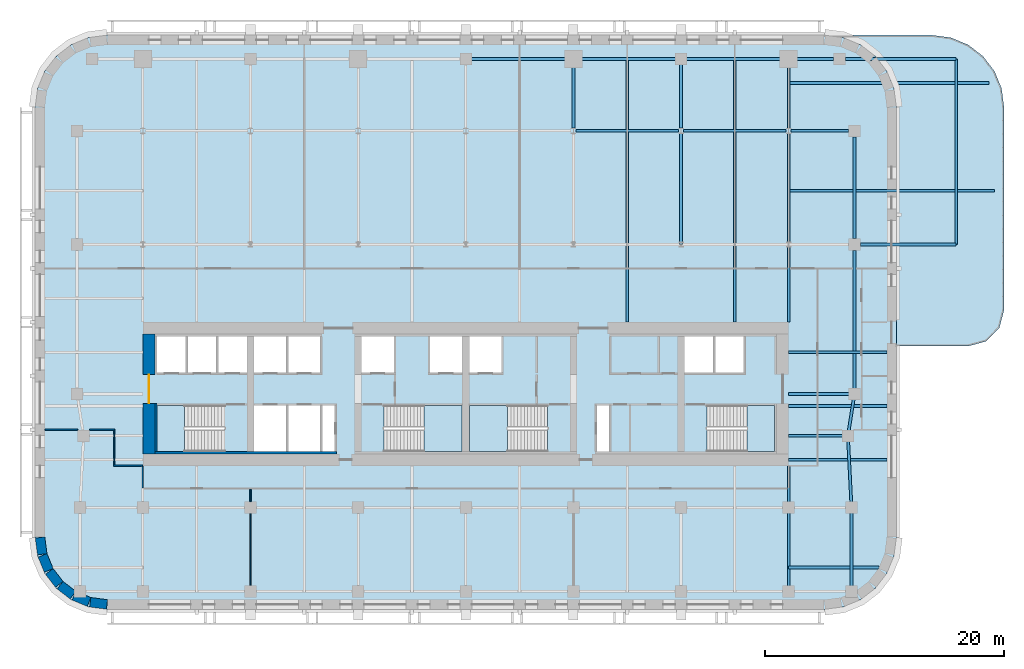
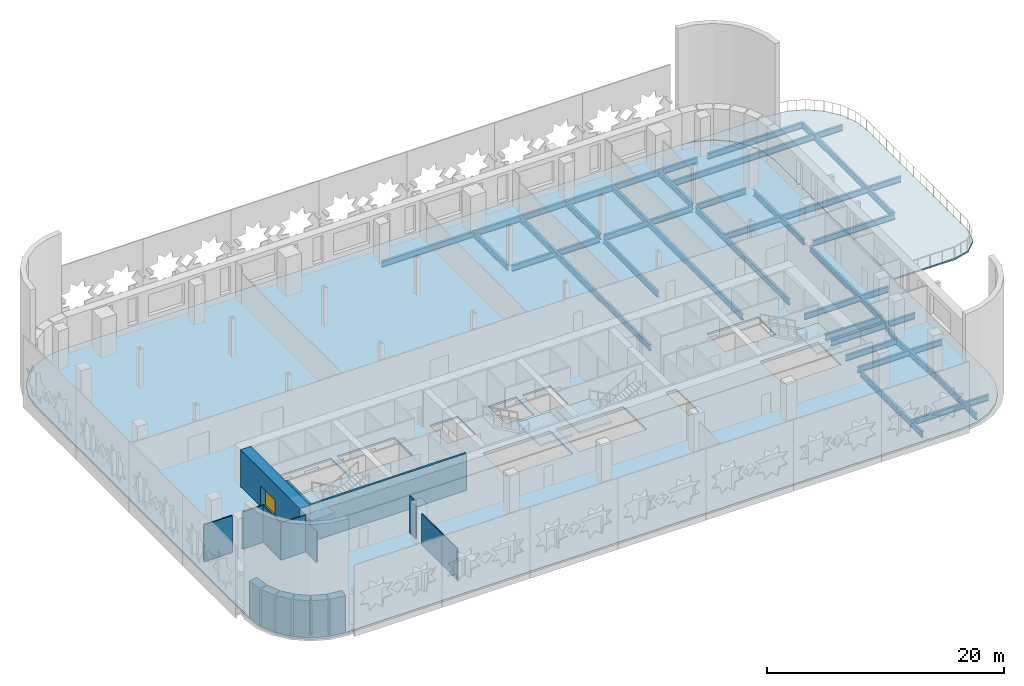
# One storey, part 2 of 11: 29 beams, 16 walls, 6 slabs, 1 door, 1 opening, 4 elements without a shape of their own.
"""IFC4 building model written with IfcOpenShell, lengths in metres."""

from ifc_helpers import new_model, si_unit, direction, frame, frame_2d, origin, origin_2d, place, context, subcontext, project, spatial, polyline, rectangle, i_section, outline, extrude, material, layer, layer_set, material_profile, profile_set, type_object, element, fill, aggregate, save


model = new_model("IFC4")

# Units and contexts
model_context = context("Model", 3, precision=1e-05, world=origin(), true_north=direction((0.0, 1.0)))
body_context = subcontext(model_context, "Body", "Model", "MODEL_VIEW")
ifc_project = project(units=[si_unit("LENGTHUNIT", "METRE"), si_unit("AREAUNIT", "SQUARE_METRE"), si_unit("VOLUMEUNIT", "CUBIC_METRE"), si_unit("PLANEANGLEUNIT", "RADIAN"), si_unit("MASSUNIT", "GRAM", prefix="KILO")], contexts=[model_context])

# Site, building, storey
site_placement = place(None, origin())
site = spatial("IfcSite", under=ifc_project, at=site_placement, CompositionType="ELEMENT")
building_placement = place(site_placement, origin())
building = spatial("IfcBuilding", under=site, at=building_placement, Name="Zellij Exchange Tower", CompositionType="ELEMENT")
storey_placement = place(building_placement, frame((0.0, 0.0, 144.5)))
storey = spatial("IfcBuildingStorey", under=building, at=storey_placement, Name="L32", CompositionType="ELEMENT", Elevation=144.5)

# Beams
ifc_material_1 = material(Name="Structural steel ASTM A992 Gr 50", Category="steel")
ifc_material_profile_1 = material_profile(ifc_material_1, i_section(OverallWidth=0.227783203125, OverallDepth=0.60205078125, WebThickness=0.010498046875, FlangeThickness=0.014892578125, at=origin_2d()), Name="W24x68")
ifc_profile_set_1 = profile_set([ifc_material_profile_1], Name="Structural steel ASTM A992 Gr 50")
beam_type_1 = type_object("IfcBeamType", Name="STR-BEAM W24x68", PredefinedType="BEAM", material=ifc_profile_set_1)
for number, where, z_axis, x_axis, name in (
    (1, (13.5, -2.0, -0.5009765625), (0.0, 1.0, 0.0), (-1.0, 0.0, 0.0), "B5"),
    (2, (22.5, -2.0, -0.5009765625), (0.0, 1.0, 0.0), (-1.0, 0.0, 0.0), "B5"),
):
    element("IfcBeam", number, at=place(storey_placement, frame(where, z_axis=z_axis, x_axis=x_axis)), inside=storey, type_object=beam_type_1, Name=name, PredefinedType="BEAM", context=body_context, shape_type="SweptSolid", body=[
        extrude(i_section(OverallWidth=0.227783203125, OverallDepth=0.60205078125, WebThickness=0.010498046875, FlangeThickness=0.014892578125, at=origin_2d()), origin(), (0.0, 0.0, 1.0), 22.114501953125),
    ])
beam_1_placement = place(storey_placement, frame((27.0, -22.5, -0.5009765625), z_axis=(1.0, 0.0, 0.0), x_axis=(0.0, 1.0, 0.0)))
element("IfcBeam", 3, at=beam_1_placement, inside=storey, type_object=beam_type_1, Name="B5", PredefinedType="BEAM", context=body_context, shape_type="SweptSolid", body=[
    extrude(i_section(OverallWidth=0.227783203125, OverallDepth=0.60205078125, WebThickness=0.010498046875, FlangeThickness=0.014892578125, at=origin_2d()), origin(), (0.0, 0.0, 1.0), 7.537109375),
])
for number, where, z_axis, x_axis, name in (
    (4, (27.0, -13.5, -0.5009765625), (1.0, 0.0, 0.0), (0.0, 1.0, 0.0), "B5"),
    (5, (27.0, -9.0, -0.5009765625), (1.0, 0.0, 0.0), (0.0, 1.0, 0.0), "B5"),
    (6, (27.0, -4.5, -0.5009765625), (1.0, 0.0, 0.0), (0.0, 1.0, 0.0), "B5"),
):
    element("IfcBeam", number, at=place(storey_placement, frame(where, z_axis=z_axis, x_axis=x_axis)), inside=storey, type_object=beam_type_1, Name=name, PredefinedType="BEAM", context=body_context, shape_type="SweptSolid", body=[
        extrude(i_section(OverallWidth=0.227783203125, OverallDepth=0.60205078125, WebThickness=0.010498046875, FlangeThickness=0.014892578125, at=origin_2d()), origin(), (0.0, 0.0, 1.0), 8.199951171875),
    ])
beam_2_placement = place(storey_placement, frame((27.0, 9.0, -0.5009765625), z_axis=(1.0, 0.0, 0.0), x_axis=(0.0, 1.0, 0.0)))
element("IfcBeam", 7, at=beam_2_placement, inside=storey, type_object=beam_type_1, Name="B5", PredefinedType="BEAM", context=body_context, shape_type="SweptSolid", body=[
    extrude(i_section(OverallWidth=0.227783203125, OverallDepth=0.60205078125, WebThickness=0.010498046875, FlangeThickness=0.014892578125, at=origin_2d()), origin(), (0.0, 0.0, 1.0), 17.199951171875),
])
beam_3_placement = place(storey_placement, frame((27.0, 18.0, -0.5009765625), z_axis=(1.0, 0.0, 0.0), x_axis=(0.0, 1.0, 0.0)))
element("IfcBeam", 8, at=beam_3_placement, inside=storey, type_object=beam_type_1, Name="B5", PredefinedType="BEAM", context=body_context, shape_type="SweptSolid", body=[
    extrude(i_section(OverallWidth=0.227783203125, OverallDepth=0.60205078125, WebThickness=0.010498046875, FlangeThickness=0.014892578125, at=origin_2d()), origin(), (0.0, 0.0, 1.0), 16.743896484375),
])
ifc_material_profile_2 = material_profile(ifc_material_1, i_section(OverallWidth=0.22900390625, OverallDepth=0.612060546875, WebThickness=0.011962890625, FlangeThickness=0.01953125, at=origin_2d()), Name="W24x84")
ifc_profile_set_2 = profile_set([ifc_material_profile_2], Name="Structural steel ASTM A992 Gr 50")
beam_type_2 = type_object("IfcBeamType", Name="STR-EDGE GIRDER W24x84", PredefinedType="BEAM", material=ifc_profile_set_2)
beam_4_placement = place(storey_placement, frame((32.25, -24.5, -0.506103515625), z_axis=(0.0, 1.0, 0.0), x_axis=(-1.0, 0.0, 0.0)))
element("IfcBeam", 9, at=beam_4_placement, inside=storey, type_object=beam_type_2, Name="EB6", PredefinedType="BEAM", context=body_context, shape_type="SweptSolid", body=[
    extrude(i_section(OverallWidth=0.22900390625, OverallDepth=0.612060546875, WebThickness=0.011962890625, FlangeThickness=0.01953125, at=origin_2d()), origin(), (0.0, 0.0, 1.0), 7.0),
])
beam_5_placement = place(storey_placement, frame((32.25, -17.5, -0.506103515625), z_axis=(-0.049945724537, 0.998751933465, 0.0), x_axis=(-0.998751933465, -0.049945724537, 0.0)))
element("IfcBeam", 10, at=beam_5_placement, inside=storey, type_object=beam_type_2, Name="EB6", PredefinedType="BEAM", context=body_context, shape_type="SweptSolid", body=[
    extrude(i_section(OverallWidth=0.22900390625, OverallDepth=0.612060546875, WebThickness=0.011962890625, FlangeThickness=0.01953125, at=origin_2d()), origin(), (0.0, 0.0, 1.0), 6.007568359375),
])
beam_6_placement = place(storey_placement, frame((31.949951171875, -11.5, -0.506103515625), z_axis=(0.155251283593, 0.987875011802, 0.0), x_axis=(-0.987875011802, 0.155251283593, 0.0)))
element("IfcBeam", 11, at=beam_6_placement, inside=storey, type_object=beam_type_2, Name="EB6", PredefinedType="BEAM", context=body_context, shape_type="SweptSolid", body=[
    extrude(i_section(OverallWidth=0.22900390625, OverallDepth=0.612060546875, WebThickness=0.011962890625, FlangeThickness=0.01953125, at=origin_2d()), origin(), (0.0, 0.0, 1.0), 3.54296875),
])
beam_7_placement = place(storey_placement, frame((32.5, -8.0, -0.506103515625), z_axis=(0.0, 1.0, 0.0), x_axis=(-1.0, 0.0, 0.0)))
element("IfcBeam", 12, at=beam_7_placement, inside=storey, type_object=beam_type_2, Name="EB6", PredefinedType="BEAM", context=body_context, shape_type="SweptSolid", body=[
    extrude(i_section(OverallWidth=0.22900390625, OverallDepth=0.612060546875, WebThickness=0.011962890625, FlangeThickness=0.01953125, at=origin_2d()), origin(), (0.0, 0.0, 1.0), 12.0),
])
beam_8_placement = place(storey_placement, frame((32.5, 5.0, -0.506103515625), z_axis=(0.0, 1.0, 0.0), x_axis=(-1.0, 0.0, 0.0)))
element("IfcBeam", 13, at=beam_8_placement, inside=storey, type_object=beam_type_2, Name="EB6", PredefinedType="BEAM", context=body_context, shape_type="SweptSolid", body=[
    extrude(i_section(OverallWidth=0.22900390625, OverallDepth=0.612060546875, WebThickness=0.011962890625, FlangeThickness=0.01953125, at=origin_2d()), origin(), (0.0, 0.0, 1.0), 8.5),
])
beam_9_placement = place(storey_placement, frame((41.0, 4.5, -0.506103515625), z_axis=(0.0, 1.0, 0.0), x_axis=(-1.0, 0.0, 0.0)))
element("IfcBeam", 14, at=beam_9_placement, inside=storey, type_object=beam_type_2, Name="EB6", PredefinedType="BEAM", context=body_context, shape_type="SweptSolid", body=[
    extrude(i_section(OverallWidth=0.22900390625, OverallDepth=0.612060546875, WebThickness=0.011962890625, FlangeThickness=0.01953125, at=origin_2d()), origin(), (0.0, 0.0, 1.0), 15.5),
])
ifc_material_profile_3 = material_profile(ifc_material_1, i_section(OverallWidth=0.22900390625, OverallDepth=0.612060546875, WebThickness=0.011962890625, FlangeThickness=0.01953125, at=origin_2d()), Name="W24x84")
ifc_profile_set_3 = profile_set([ifc_material_profile_3], Name="Structural steel ASTM A992 Gr 50")
beam_type_3 = type_object("IfcBeamType", Name="STR-GIRDER W24x84", PredefinedType="BEAM", material=ifc_profile_set_3)
beam_10_placement = place(storey_placement, frame((27.0, -11.5, -0.506103515625), z_axis=(1.0, 0.0, 0.0), x_axis=(0.0, 1.0, 0.0)))
element("IfcBeam", 15, at=beam_10_placement, inside=storey, type_object=beam_type_3, Name="G4", PredefinedType="BEAM", context=body_context, shape_type="SweptSolid", body=[
    extrude(i_section(OverallWidth=0.22900390625, OverallDepth=0.612060546875, WebThickness=0.011962890625, FlangeThickness=0.01953125, at=origin_2d()), origin(), (0.0, 0.0, 1.0), 4.949951171875),
])
beam_11_placement = place(storey_placement, frame((27.0, -8.0, -0.506103515625), z_axis=(1.0, 0.0, 0.0), x_axis=(0.0, 1.0, 0.0)))
element("IfcBeam", 16, at=beam_11_placement, inside=storey, type_object=beam_type_3, Name="G4", PredefinedType="BEAM", context=body_context, shape_type="SweptSolid", body=[
    extrude(i_section(OverallWidth=0.22900390625, OverallDepth=0.612060546875, WebThickness=0.011962890625, FlangeThickness=0.01953125, at=origin_2d()), origin(), (0.0, 0.0, 1.0), 5.5),
])
beam_12_placement = place(storey_placement, frame((33.0, 4.5, -0.506103515625), z_axis=(1.0, 0.0, 0.0), x_axis=(0.0, 1.0, 0.0)))
element("IfcBeam", 17, at=beam_12_placement, inside=storey, type_object=beam_type_3, Name="G4", PredefinedType="BEAM", context=body_context, shape_type="SweptSolid", body=[
    extrude(i_section(OverallWidth=0.22900390625, OverallDepth=0.612060546875, WebThickness=0.011962890625, FlangeThickness=0.01953125, at=origin_2d()), origin(), (0.0, 0.0, 1.0), 8.0),
])
for number, where, z_axis, x_axis, name in (
    (18, (9.209716796875, 14.0, -0.506103515625), (1.0, 0.0, 0.0), (0.0, 1.0, 0.0), "G4"),
    (19, (18.209716796875, 14.0, -0.506103515625), (1.0, 0.0, 0.0), (0.0, 1.0, 0.0), "G4"),
):
    element("IfcBeam", number, at=place(storey_placement, frame(where, z_axis=z_axis, x_axis=x_axis)), inside=storey, type_object=beam_type_3, Name=name, PredefinedType="BEAM", context=body_context, shape_type="SweptSolid", body=[
        extrude(i_section(OverallWidth=0.22900390625, OverallDepth=0.612060546875, WebThickness=0.011962890625, FlangeThickness=0.01953125, at=origin_2d()), origin(), (0.0, 0.0, 1.0), 8.58056640625),
    ])
beam_13_placement = place(storey_placement, frame((27.209716796875, 14.0, -0.506103515625), z_axis=(1.0, 0.0, 0.0), x_axis=(0.0, 1.0, 0.0)))
element("IfcBeam", 20, at=beam_13_placement, inside=storey, type_object=beam_type_3, Name="G4", PredefinedType="BEAM", context=body_context, shape_type="SweptSolid", body=[
    extrude(i_section(OverallWidth=0.22900390625, OverallDepth=0.612060546875, WebThickness=0.011962890625, FlangeThickness=0.01953125, at=origin_2d()), origin(), (0.0, 0.0, 1.0), 4.790283203125),
])
beam_14_placement = place(storey_placement, frame((0.0, 20.0, -0.506103515625), z_axis=(1.0, 0.0, 0.0), x_axis=(0.0, 1.0, 0.0)))
element("IfcBeam", 21, at=beam_14_placement, inside=storey, type_object=beam_type_3, Name="G4", PredefinedType="BEAM", context=body_context, shape_type="SweptSolid", body=[
    extrude(i_section(OverallWidth=0.22900390625, OverallDepth=0.612060546875, WebThickness=0.011962890625, FlangeThickness=0.01953125, at=origin_2d()), origin(), (0.0, 0.0, 1.0), 18.0),
])
beam_15_placement = place(storey_placement, frame((18.0, 20.0, -0.506103515625), z_axis=(1.0, 0.0, 0.0), x_axis=(0.0, 1.0, 0.0)))
element("IfcBeam", 22, at=beam_15_placement, inside=storey, type_object=beam_type_3, Name="G4", PredefinedType="BEAM", context=body_context, shape_type="SweptSolid", body=[
    extrude(i_section(OverallWidth=0.22900390625, OverallDepth=0.612060546875, WebThickness=0.011962890625, FlangeThickness=0.01953125, at=origin_2d()), origin(), (0.0, 0.0, 1.0), 12.75),
])
beam_16_placement = place(storey_placement, frame((31.75, 20.0, -0.506103515625), z_axis=(1.0, 0.0, 0.0), x_axis=(0.0, 1.0, 0.0)))
element("IfcBeam", 23, at=beam_16_placement, inside=storey, type_object=beam_type_3, Name="G4", PredefinedType="BEAM", context=body_context, shape_type="SweptSolid", body=[
    extrude(i_section(OverallWidth=0.22900390625, OverallDepth=0.612060546875, WebThickness=0.011962890625, FlangeThickness=0.01953125, at=origin_2d()), origin(), (0.0, 0.0, 1.0), 9.25),
])
beam_17_placement = place(storey_placement, frame((9.0, 14.227294921875, -0.506103515625), z_axis=(0.0, 1.0, 0.0), x_axis=(-1.0, 0.0, 0.0)))
element("IfcBeam", 24, at=beam_17_placement, inside=storey, type_object=beam_type_3, Name="G4", PredefinedType="BEAM", context=body_context, shape_type="SweptSolid", body=[
    extrude(i_section(OverallWidth=0.22900390625, OverallDepth=0.612060546875, WebThickness=0.011962890625, FlangeThickness=0.01953125, at=origin_2d()), origin(), (0.0, 0.0, 1.0), 5.772705078125),
])
beam_18_placement = place(storey_placement, frame((18.0, 4.5, -0.506103515625), z_axis=(0.0, 1.0, 0.0), x_axis=(-1.0, 0.0, 0.0)))
element("IfcBeam", 25, at=beam_18_placement, inside=storey, type_object=beam_type_3, Name="G4", PredefinedType="BEAM", context=body_context, shape_type="SweptSolid", body=[
    extrude(i_section(OverallWidth=0.22900390625, OverallDepth=0.612060546875, WebThickness=0.011962890625, FlangeThickness=0.01953125, at=origin_2d()), origin(), (0.0, 0.0, 1.0), 9.272705078125),
])
beam_19_placement = place(storey_placement, frame((18.0, 14.227294921875, -0.506103515625), z_axis=(0.0, 1.0, 0.0), x_axis=(-1.0, 0.0, 0.0)))
element("IfcBeam", 26, at=beam_19_placement, inside=storey, type_object=beam_type_3, Name="G4", PredefinedType="BEAM", context=body_context, shape_type="SweptSolid", body=[
    extrude(i_section(OverallWidth=0.22900390625, OverallDepth=0.612060546875, WebThickness=0.011962890625, FlangeThickness=0.01953125, at=origin_2d()), origin(), (0.0, 0.0, 1.0), 5.772705078125),
])
beam_20_placement = place(storey_placement, frame((27.0, -24.5, -0.506103515625), z_axis=(0.0, 1.0, 0.0), x_axis=(-1.0, 0.0, 0.0)))
element("IfcBeam", 27, at=beam_20_placement, inside=storey, type_object=beam_type_3, Name="G4", PredefinedType="BEAM", context=body_context, shape_type="SweptSolid", body=[
    extrude(i_section(OverallWidth=0.22900390625, OverallDepth=0.612060546875, WebThickness=0.011962890625, FlangeThickness=0.01953125, at=origin_2d()), origin(), (0.0, 0.0, 1.0), 10.5),
])
beam_21_placement = place(storey_placement, frame((27.0, -2.0, -0.506103515625), z_axis=(0.0, 1.0, 0.0), x_axis=(-1.0, 0.0, 0.0)))
element("IfcBeam", 28, at=beam_21_placement, inside=storey, type_object=beam_type_3, Name="G4", PredefinedType="BEAM", context=body_context, shape_type="SweptSolid", body=[
    extrude(i_section(OverallWidth=0.22900390625, OverallDepth=0.612060546875, WebThickness=0.011962890625, FlangeThickness=0.01953125, at=origin_2d()), origin(), (0.0, 0.0, 1.0), 15.772705078125),
])
beam_22_placement = place(storey_placement, frame((27.0, 14.227294921875, -0.506103515625), z_axis=(0.0, 1.0, 0.0), x_axis=(-1.0, 0.0, 0.0)))
element("IfcBeam", 29, at=beam_22_placement, inside=storey, type_object=beam_type_3, Name="G4", PredefinedType="BEAM", context=body_context, shape_type="SweptSolid", body=[
    extrude(i_section(OverallWidth=0.22900390625, OverallDepth=0.612060546875, WebThickness=0.011962890625, FlangeThickness=0.01953125, at=origin_2d()), origin(), (0.0, 0.0, 1.0), 5.772705078125),
])

# Stair, slab
ifc_material_2 = material(Name="Concrete C40/50", Category="concrete")
stair_type = type_object("IfcStairType", Name="CORE-ST exit stair 1850 wide", PredefinedType="HALF_TURN_STAIR", material=ifc_material_2)
stair_1_placement = place(storey_placement, origin())
stair_1 = element("IfcStair", 30, at=stair_1_placement, inside=storey, type_object=stair_type, Name="L32 exit stair ST1", PredefinedType="HALF_TURN_STAIR")
ifc_layer_1 = layer(ifc_material_2, 0.199951171875)
ifc_layer_set_1 = layer_set([ifc_layer_1], Name="Concrete C40/50")
slab_type_1 = type_object("IfcSlabType", Name="CORE-SL stair landing 200", PredefinedType="LANDING", material=ifc_layer_set_1)
slab_1_placement = place(storey_placement, frame((0.0, 0.0, 1.800048828125)))
slab_1 = element("IfcSlab", 31, at=slab_1_placement, type_object=slab_type_1, Name="ST1 landing 1", PredefinedType="LANDING", context=body_context, shape_type="SweptSolid", body=[
    extrude(outline(polyline([(-23.510009765625, -8.949951171875), (-25.800048828125, -8.949951171875), (-25.800048828125, -12.800048828125), (-23.510009765625, -12.800048828125), (-23.510009765625, -8.949951171875)])), origin(), (0.0, 0.0, 1.0), 0.199951171875),
])
aggregate(stair_1, [slab_1])

stair_2_placement = place(storey_placement, origin())
stair_2 = element("IfcStair", 32, at=stair_2_placement, inside=storey, type_object=stair_type, Name="L32 exit stair ST2", PredefinedType="HALF_TURN_STAIR")
slab_2_placement = place(storey_placement, frame((0.0, 0.0, 1.800048828125)))
slab_2 = element("IfcSlab", 33, at=slab_2_placement, type_object=slab_type_1, Name="ST2 landing 1", PredefinedType="LANDING", context=body_context, shape_type="SweptSolid", body=[
    extrude(outline(polyline([(-3.489990234375, -12.800048828125), (-0.300048828125, -12.800048828125), (-0.300048828125, -8.949951171875), (-3.489990234375, -8.949951171875), (-3.489990234375, -12.800048828125)])), origin(), (0.0, 0.0, 1.0), 0.199951171875),
])
aggregate(stair_2, [slab_2])

stair_3_placement = place(storey_placement, origin())
stair_3 = element("IfcStair", 34, at=stair_3_placement, inside=storey, type_object=stair_type, Name="L32 exit stair ST3", PredefinedType="HALF_TURN_STAIR")
slab_3_placement = place(storey_placement, frame((0.0, 0.0, 1.800048828125)))
slab_3 = element("IfcSlab", 35, at=slab_3_placement, type_object=slab_type_1, Name="ST3 landing 1", PredefinedType="LANDING", context=body_context, shape_type="SweptSolid", body=[
    extrude(outline(polyline([(3.489990234375, -8.949951171875), (0.300048828125, -8.949951171875), (0.300048828125, -12.800048828125), (3.489990234375, -12.800048828125), (3.489990234375, -8.949951171875)])), origin(), (0.0, 0.0, 1.0), 0.199951171875),
])
aggregate(stair_3, [slab_3])

stair_4_placement = place(storey_placement, origin())
stair_4 = element("IfcStair", 36, at=stair_4_placement, inside=storey, type_object=stair_type, Name="L32 exit stair ST4", PredefinedType="HALF_TURN_STAIR")
slab_4_placement = place(storey_placement, frame((0.0, 0.0, 1.800048828125)))
slab_4 = element("IfcSlab", 37, at=slab_4_placement, type_object=slab_type_1, Name="ST4 landing 1", PredefinedType="LANDING", context=body_context, shape_type="SweptSolid", body=[
    extrude(outline(polyline([(23.510009765625, -12.800048828125), (25.800048828125, -12.800048828125), (25.800048828125, -8.949951171875), (23.510009765625, -8.949951171875), (23.510009765625, -12.800048828125)])), origin(), (0.0, 0.0, 1.0), 0.199951171875),
])
aggregate(stair_4, [slab_4])

# Slabs
ifc_layer_2 = layer(ifc_material_2, 0.199951171875)
ifc_layer_set_2 = layer_set([ifc_layer_2], Name="Concrete C40/50")
slab_type_2 = type_object("IfcSlabType", Name="ENV-TERRACE SLAB 200 C40/50", PredefinedType="FLOOR", material=ifc_layer_set_2)
slab_5_placement = place(storey_placement, frame((0.0, 0.0, -0.199951171875)))
element("IfcSlab", 38, at=slab_5_placement, inside=storey, type_object=slab_type_2, Name="Terrace slab L32", PredefinedType="FLOOR", context=body_context, shape_type="SweptSolid", body=[
    extrude(outline(polyline([(42.0, 21.1962890625), (40.552978515625, 21.795654296875), (39.0, 22.0), (30.0, 22.0), (31.552978515625, 21.795654296875), (33.0, 21.1962890625), (34.24267578125, 20.24267578125), (35.1962890625, 19.0), (35.795654296875, 17.552978515625), (36.0, 16.0), (36.0, -4.0), (42.0, -4.0), (43.5, -3.59814453125), (44.59814453125, -2.5), (45.0, -1.0), (45.0, 16.0), (44.795654296875, 17.552978515625), (44.1962890625, 19.0), (43.24267578125, 20.24267578125), (42.0, 21.1962890625)])), origin(), (0.0, 0.0, 1.0), 0.159912109375),
])
ifc_layer_3 = layer(ifc_material_2, 0.199951171875)
ifc_layer_set_3 = layer_set([ifc_layer_3], Name="Concrete C40/50")
slab_type_3 = type_object("IfcSlabType", Name="STR-FLOOR SLAB 200 C40/50", PredefinedType="FLOOR", material=ifc_layer_set_3)
slab_6_placement = place(storey_placement, frame((0.0, 0.0, -0.2001953125)))
element("IfcSlab", 39, at=slab_6_placement, inside=storey, type_object=slab_type_3, Name="Floor L32", PredefinedType="FLOOR", context=body_context, shape_type="SweptSolid", body=[
    extrude(outline(polyline([(-30.0, -26.0), (-31.552978515625, -25.795654296875), (-33.0, -25.1962890625), (-34.24267578125, -24.24267578125), (-35.1962890625, -23.0), (-35.795654296875, -21.552978515625), (-36.0, -20.0), (-36.0, 16.0), (-35.795654296875, 17.552978515625), (-35.1962890625, 19.0), (-34.24267578125, 20.24267578125), (-33.0, 21.1962890625), (-31.552978515625, 21.795654296875), (-30.0, 22.0), (30.0, 22.0), (31.552978515625, 21.795654296875), (33.0, 21.1962890625), (34.24267578125, 20.24267578125), (35.1962890625, 19.0), (35.795654296875, 17.552978515625), (36.0, 16.0), (36.0, -20.0), (35.795654296875, -21.552978515625), (35.1962890625, -23.0), (34.24267578125, -24.24267578125), (33.0, -25.1962890625), (31.552978515625, -25.795654296875), (30.0, -26.0), (-30.0, -26.0)]), holes=[polyline([(-25.800048828125, -8.949951171875), (-25.800048828125, -12.800048828125), (-20.153076171875, -12.800048828125), (-20.153076171875, -8.949951171875), (-25.800048828125, -8.949951171875)]), polyline([(-12.14990234375, -8.949951171875), (-17.699951171875, -8.949951171875), (-17.699951171875, -12.800048828125), (-12.14990234375, -12.800048828125), (-12.14990234375, -8.949951171875)]), polyline([(-10.949951171875, -8.949951171875), (-12.0, -8.949951171875), (-12.0, -12.800048828125), (-10.949951171875, -12.800048828125), (-10.949951171875, -8.949951171875)]), polyline([(-23.39990234375, -3.199951171875), (-25.800048828125, -3.199951171875), (-25.800048828125, -6.22509765625), (-23.39990234375, -6.22509765625), (-23.39990234375, -3.199951171875)]), polyline([(-18.300048828125, -3.199951171875), (-23.25, -3.199951171875), (-23.25, -6.22509765625), (-18.300048828125, -6.22509765625), (-18.300048828125, -3.199951171875)]), polyline([(-12.14990234375, -3.199951171875), (-17.699951171875, -3.199951171875), (-17.699951171875, -6.22509765625), (-12.14990234375, -6.22509765625), (-12.14990234375, -3.199951171875)]), polyline([(-6.0, -3.199951171875), (-8.699951171875, -3.199951171875), (-8.699951171875, -6.22509765625), (-6.0, -6.22509765625), (-6.0, -3.199951171875)]), polyline([(-6.846923828125, -8.949951171875), (-6.846923828125, -12.800048828125), (-0.300048828125, -12.800048828125), (-0.300048828125, -8.949951171875), (-6.846923828125, -8.949951171875)]), polyline([(6.846923828125, -8.949951171875), (0.300048828125, -8.949951171875), (0.300048828125, -12.800048828125), (6.846923828125, -12.800048828125), (6.846923828125, -8.949951171875)]), polyline([(12.0, -8.949951171875), (10.949951171875, -8.949951171875), (10.949951171875, -12.800048828125), (12.0, -12.800048828125), (12.0, -8.949951171875)]), polyline([(25.800048828125, -8.949951171875), (20.153076171875, -8.949951171875), (20.153076171875, -12.800048828125), (25.800048828125, -12.800048828125), (25.800048828125, -8.949951171875)]), polyline([(-0.300048828125, -3.199951171875), (-3.0, -3.199951171875), (-3.0, -6.22509765625), (-0.300048828125, -6.22509765625), (-0.300048828125, -3.199951171875)]), polyline([(3.0, -3.199951171875), (0.300048828125, -3.199951171875), (0.300048828125, -6.22509765625), (3.0, -6.22509765625), (3.0, -3.199951171875)]), polyline([(23.25, -3.199951171875), (18.300048828125, -3.199951171875), (18.300048828125, -6.22509765625), (23.25, -6.22509765625), (23.25, -3.199951171875)])]), origin(), (0.0, 0.0, 1.0), 0.2001953125),
])

# Walls
ifc_material_3 = material(Name="Concrete C30/37", Category="concrete")
ifc_layer_4 = layer(ifc_material_3, 0.199951171875)
ifc_layer_set_4 = layer_set([ifc_layer_4], Name="Concrete C30/37")
wall_type_1 = type_object("IfcWallType", Name="CORE-LW 200 C30/37", PredefinedType="SHEAR", material=ifc_layer_set_4)
wall_1_placement = place(storey_placement, frame((-26.0, -12.89990234375, 0.0), z_axis=(0.0, 0.0, 1.0), x_axis=(1.0, 0.0, 0.0)))
element("IfcWall", 40, at=wall_1_placement, inside=storey, type_object=wall_type_1, Name="Core wall lining rear.0 L32", PredefinedType="SHEAR", context=body_context, shape_type="SweptSolid", body=[
    extrude(rectangle(XDim=15.199951171875, YDim=0.199951171875, at=frame_2d((7.60009765625, 0.0))), origin(), (0.0, 0.0, 1.0), 3.800048828125),
])
wall_2_placement = place(storey_placement, frame((-25.89990234375, -12.800048828125, 0.0), z_axis=(0.0, 0.0, 1.0), x_axis=(0.0, 1.0, 0.0)))
element("IfcWall", 41, at=wall_2_placement, inside=storey, type_object=wall_type_1, Name="Core wall lining end w.0 L32", PredefinedType="SHEAR", context=body_context, shape_type="SweptSolid", body=[
    extrude(rectangle(XDim=4.0, YDim=0.199951171875, at=frame_2d((2.0, 0.0))), origin(), (0.0, 0.0, 1.0), 3.800048828125),
])

# Wall, opening, door
ifc_material_4 = material(Name="Concrete C70/85", Category="concrete")
ifc_layer_5 = layer(ifc_material_4, 1.0)
ifc_layer_set_5 = layer_set([ifc_layer_5], Name="Concrete C70/85")
wall_type_2 = type_object("IfcWallType", Name="CORE-SW 1000 C70/85", PredefinedType="SHEAR", material=ifc_layer_set_5)
wall_3_placement = place(storey_placement, frame((-26.5, -13.0, 0.0), z_axis=(0.0, 0.0, 1.0), x_axis=(0.0, 1.0, 0.0)))
wall_3 = element("IfcWall", 42, at=wall_3_placement, inside=storey, type_object=wall_type_2, Name="Core shear wall end w L32", PredefinedType="SHEAR", context=body_context, shape_type="SweptSolid", body=[
    extrude(rectangle(XDim=10.0, YDim=1.0, at=frame_2d((5.0, 0.0))), origin(), (0.0, 0.0, 1.0), 3.800048828125),
])
opening_placement = place(wall_3_placement, frame((4.2119140625, 0.0, 0.0)))
opening = element("IfcOpeningElement", 43, at=opening_placement, cuts=wall_3, Name="Opening CA-16.01", PredefinedType="OPENING", context=body_context, shape_type="SweptSolid", body=[
    extrude(rectangle(XDim=2.39990234375, YDim=2.10009765625, at=frame_2d((1.199951171875, 1.050048828125))), frame((0.0, 0.511962890625, 0.0), z_axis=(0.0, -1.0, 0.0), x_axis=(1.0, 0.0, 0.0)), (0.0, 0.0, 1.0), 1.02392578125),
])
ifc_material_5 = material(Name="Hollow metal fire door")
door_type = type_object("IfcDoorType", Name="CORE-D CE Core entrance door 2400x2100 20 MIN", OperationType="NOTDEFINED", PredefinedType="DOOR", material=ifc_material_5)
door_placement = place(opening_placement, origin())
door = element("IfcDoor", 44, at=door_placement, inside=storey, type_object=door_type, Name="Core entrance door CA-16.01", OperationType="DOUBLE_DOOR_SINGLE_SWING", OverallHeight=2.10009765625, OverallWidth=2.39990234375, PredefinedType="DOOR", context=body_context, shape_type="SweptSolid", body=[
    extrude(rectangle(XDim=2.39990234375, YDim=2.10009765625, at=frame_2d((1.199951171875, 1.050048828125))), frame((0.0, 0.02490234375, 0.0), z_axis=(0.0, -1.0, 0.0), x_axis=(1.0, 0.0, 0.0)), (0.0, 0.0, 1.0), 0.050048828125),
])
fill(opening, door)

# Walls
ifc_material_6 = material(Name="Precast concrete C40/50", Category="concrete")
ifc_layer_6 = layer(ifc_material_6, 0.800048828125)
ifc_layer_set_6 = layer_set([ifc_layer_6], Name="Precast concrete C40/50")
wall_type_3 = type_object("IfcWallType", Name="ENV-EW1 Precast stone-piered wall 800", PredefinedType="SOLIDWALL", material=ifc_layer_set_6)
wall_4_placement = place(storey_placement, frame((-35.5966796875, -19.999755859375, 0.0), z_axis=(0.0, 0.0, 1.0), x_axis=(0.130517283865, -0.99144603414, 0.0)))
element("IfcWall", 45, at=wall_4_placement, inside=storey, type_object=wall_type_3, Name="fac.L32.22", PredefinedType="SOLIDWALL", context=body_context, shape_type="SweptSolid", body=[
    extrude(rectangle(XDim=1.408447265625, YDim=0.800048828125, at=frame_2d((0.7041015625, 0.0))), origin(), (0.0, 0.0, 1.0), 3.800048828125),
])
wall_5_placement = place(storey_placement, frame((-35.3857421875, -21.497314453125, 0.0), z_axis=(0.0, 0.0, 1.0), x_axis=(0.38276009378, -0.923847774587, 0.0)))
element("IfcWall", 46, at=wall_5_placement, inside=storey, type_object=wall_type_3, Name="fac.L32.23", PredefinedType="SOLIDWALL", context=body_context, shape_type="SweptSolid", body=[
    extrude(rectangle(XDim=1.35546875, YDim=0.800048828125, at=frame_2d((0.677734375, 0.0))), origin(), (0.0, 0.0, 1.0), 3.800048828125),
])
for number, where, z_axis, x_axis, name in (
    (47, (-34.814697265625, -22.840087890625, 0.0), (0.0, 0.0, 1.0), (0.608866226366, -0.793272915452, 0.0), "fac.L32.24"),
    (48, (-33.91552734375, -23.9892578125, 0.0), (0.0, 0.0, 1.0), (0.793272915452, -0.608866226366, 0.0), "fac.L32.25"),
):
    element("IfcWall", number, at=place(storey_placement, frame(where, z_axis=z_axis, x_axis=x_axis)), inside=storey, type_object=wall_type_3, Name=name, PredefinedType="SOLIDWALL", context=body_context, shape_type="SweptSolid", body=[
        extrude(rectangle(XDim=1.355712890625, YDim=0.800048828125, at=frame_2d((0.677734375, 0.0))), origin(), (0.0, 0.0, 1.0), 3.800048828125),
    ])
wall_6_placement = place(storey_placement, frame((-32.74951171875, -24.866943359375, 0.0), z_axis=(0.0, 0.0, 1.0), x_axis=(0.923847774587, -0.38276009378, 0.0)))
element("IfcWall", 49, at=wall_6_placement, inside=storey, type_object=wall_type_3, Name="fac.L32.26", PredefinedType="SOLIDWALL", context=body_context, shape_type="SweptSolid", body=[
    extrude(rectangle(XDim=1.35546875, YDim=0.800048828125, at=frame_2d((0.677734375, 0.0))), origin(), (0.0, 0.0, 1.0), 3.800048828125),
])
wall_7_placement = place(storey_placement, frame((-31.396240234375, -25.412841796875, 0.0), z_axis=(0.0, 0.0, 1.0), x_axis=(0.99144603414, -0.130517283865, 0.0)))
element("IfcWall", 50, at=wall_7_placement, inside=storey, type_object=wall_type_3, Name="fac.L32.27", PredefinedType="SOLIDWALL", context=body_context, shape_type="SweptSolid", body=[
    extrude(rectangle(XDim=1.408447265625, YDim=0.800048828125, at=frame_2d((0.7041015625, 0.0))), origin(), (0.0, 0.0, 1.0), 3.800048828125),
])
ifc_material_7 = material(Name="Gypsum board partition on steel studs", Category="steel")
ifc_layer_7 = layer(ifc_material_7, 0.10009765625)
ifc_layer_set_7 = layer_set([ifc_layer_7], Name="Gypsum board partition on steel studs")
wall_type_4 = type_object("IfcWallType", Name="FIT-PARTITION-100", PredefinedType="PARTITIONING", material=ifc_layer_set_7)
wall_8_placement = place(storey_placement, frame((-18.0, -24.0, 0.0), z_axis=(0.0, 0.0, 1.0), x_axis=(0.0, 1.0, 0.0)))
element("IfcWall", 51, at=wall_8_placement, inside=storey, type_object=wall_type_4, Name="FIT-PARTITION-100 001", PredefinedType="PARTITIONING", context=body_context, shape_type="SweptSolid", body=[
    extrude(rectangle(XDim=6.0, YDim=0.10009765625, at=frame_2d((3.0, 0.0))), origin(), (0.0, 0.0, 1.0), 3.18798828125),
])
wall_9_placement = place(storey_placement, frame((-18.0, -17.0, 0.0), z_axis=(0.0, 0.0, 1.0), x_axis=(0.0, 1.0, 0.0)))
element("IfcWall", 52, at=wall_9_placement, inside=storey, type_object=wall_type_4, Name="FIT-PARTITION-100 002", PredefinedType="PARTITIONING", context=body_context, shape_type="SweptSolid", body=[
    extrude(rectangle(XDim=1.050048828125, YDim=0.10009765625, at=frame_2d((0.52490234375, 0.0))), origin(), (0.0, 0.0, 1.0), 3.800048828125),
])
wall_10_placement = place(storey_placement, frame((-27.0, -15.85009765625, 0.0), z_axis=(0.0, 0.0, 1.0), x_axis=(0.0, 1.0, 0.0)))
element("IfcWall", 53, at=wall_10_placement, inside=storey, type_object=wall_type_4, Name="FIT-PARTITION-100 006", PredefinedType="PARTITIONING", context=body_context, shape_type="SweptSolid", body=[
    extrude(rectangle(XDim=1.800048828125, YDim=0.10009765625, at=frame_2d((0.89990234375, 0.0))), origin(), (0.0, 0.0, 1.0), 3.18798828125),
])
wall_11_placement = place(storey_placement, frame((-29.449951171875, -14.0, 0.0), z_axis=(0.0, 0.0, 1.0), x_axis=(1.0, 0.0, 0.0)))
element("IfcWall", 54, at=wall_11_placement, inside=storey, type_object=wall_type_4, Name="FIT-PARTITION-100 008", PredefinedType="PARTITIONING", context=body_context, shape_type="SweptSolid", body=[
    extrude(rectangle(XDim=2.449951171875, YDim=0.10009765625, at=frame_2d((1.22509765625, 0.0))), origin(), (0.0, 0.0, 1.0), 3.800048828125),
])
wall_12_placement = place(storey_placement, frame((-29.39990234375, -13.949951171875, 0.0), z_axis=(0.0, 0.0, 1.0), x_axis=(0.0, 1.0, 0.0)))
element("IfcWall", 55, at=wall_12_placement, inside=storey, type_object=wall_type_4, Name="FIT-PARTITION-100 009", PredefinedType="PARTITIONING", context=body_context, shape_type="SweptSolid", body=[
    extrude(rectangle(XDim=2.909912109375, YDim=0.10009765625, at=frame_2d((1.455078125, 0.0))), origin(), (0.0, 0.0, 1.0), 3.800048828125),
])
wall_13_placement = place(storey_placement, frame((-35.199951171875, -10.989990234375, 0.0), z_axis=(0.0, 0.0, 1.0), x_axis=(1.0, 0.0, 0.0)))
element("IfcWall", 56, at=wall_13_placement, inside=storey, type_object=wall_type_4, Name="FIT-PARTITION-100 012", PredefinedType="PARTITIONING", context=body_context, shape_type="SweptSolid", body=[
    extrude(rectangle(XDim=2.75, YDim=0.10009765625, at=frame_2d((1.375, 0.0))), origin(), (0.0, 0.0, 1.0), 3.800048828125),
])
wall_14_placement = place(storey_placement, frame((-31.449951171875, -10.989990234375, 0.0), z_axis=(0.0, 0.0, 1.0), x_axis=(1.0, 0.0, 0.0)))
element("IfcWall", 57, at=wall_14_placement, inside=storey, type_object=wall_type_4, Name="FIT-PARTITION-100 013", PredefinedType="PARTITIONING", context=body_context, shape_type="SweptSolid", body=[
    extrude(rectangle(XDim=2.099853515625, YDim=0.10009765625, at=frame_2d((1.0498046875, 0.0))), origin(), (0.0, 0.0, 1.0), 3.800048828125),
])

save(model, "model.ifc")
